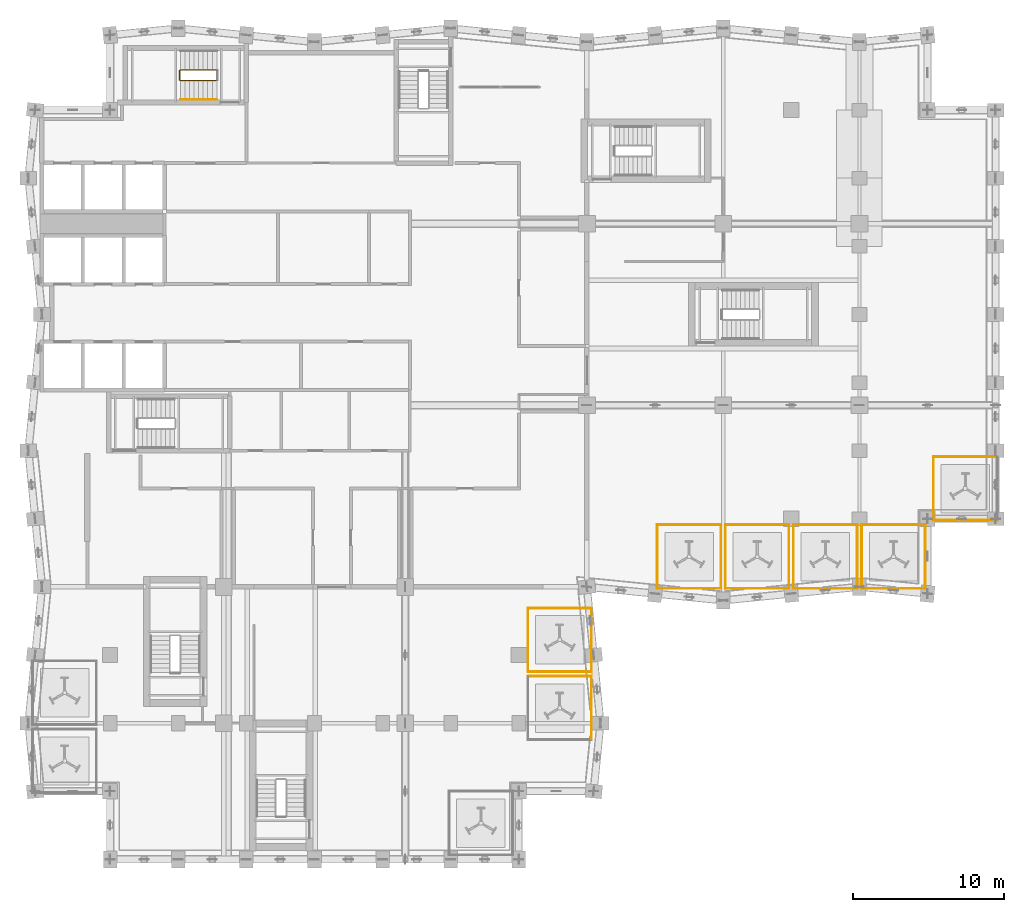
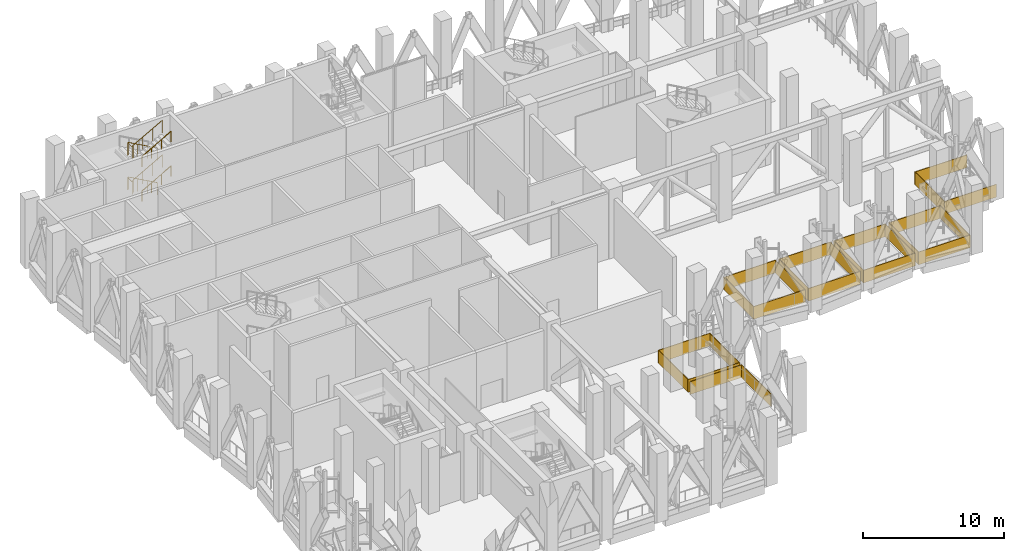
# One storey, part 25 of 28: 29 railings.
"""IFC4 building model written with IfcOpenShell, lengths in metres."""

from ifc_helpers import new_model, si_unit, direction, frame, origin, origin_2d, place, context, subcontext, project, spatial, rectangle, circle, extrude, material, type_object, element, save


model = new_model("IFC4")

# Units and contexts
model_context = context("Model", 3, precision=1e-05, world=origin(), true_north=direction((0.0, 1.0)))
body_context = subcontext(model_context, "Body", "Model", "MODEL_VIEW")
ifc_project = project(units=[si_unit("LENGTHUNIT", "METRE"), si_unit("AREAUNIT", "SQUARE_METRE"), si_unit("VOLUMEUNIT", "CUBIC_METRE"), si_unit("PLANEANGLEUNIT", "RADIAN"), si_unit("MASSUNIT", "GRAM", prefix="KILO")], contexts=[model_context])

# Site, building, storey
site_placement = place(None, origin())
site = spatial("IfcSite", under=ifc_project, at=site_placement, CompositionType="ELEMENT")
building_placement = place(site_placement, origin())
building = spatial("IfcBuilding", under=site, at=building_placement, Name="Brondeck Convention Tower", CompositionType="ELEMENT")
storey_placement = place(building_placement, frame((0.0, 0.0, 192.800048828125)))
storey = spatial("IfcBuildingStorey", under=building, at=storey_placement, Name="L47", CompositionType="ELEMENT", Elevation=192.800048828125)

# Railings
ifc_material_1 = material(Name="Steel S355", Category="steel")
railing_type_1 = type_object("IfcRailingType", Name="Stair guard 1100", PredefinedType="GUARDRAIL", material=ifc_material_1)
railing_1_placement = place(storey_placement, frame((11.550048828125, 61.14990234375, 0.16650390625)))
element("IfcRailing", 1, at=railing_1_placement, inside=storey, type_object=railing_type_1, Name="L47 ST-3 stair guard 1", PredefinedType="GUARDRAIL", context=body_context, shape_type="SweptSolid", body=[
    extrude(circle(Radius=0.02392578125, at=origin_2d()), frame((0.0, 0.0, 1.076171875), z_axis=(-0.87414469321, 0.0, 0.485665579729), x_axis=(0.0, -1.0, 0.0)), (0.0, 0.0, 1.0), 2.74560546875),
    extrude(circle(Radius=0.02392578125, at=origin_2d()), frame((-2.400146484375, 0.0, 2.40966796875), z_axis=(-0.707106781187, -0.707106781187, 0.0), x_axis=(0.707106781187, -0.707106781187, 0.0)), (0.0, 0.0, 1.0), 0.0703125),
    extrude(circle(Radius=0.02392578125, at=origin_2d()), frame((-2.449951171875, -0.0498046875, 2.40966796875), z_axis=(0.0, -1.0, 0.0), x_axis=(1.0, 0.0, 0.0)), (0.0, 0.0, 1.0), 0.60009765625),
    extrude(circle(Radius=0.02392578125, at=origin_2d()), frame((-2.449951171875, -0.64990234375, 2.40966796875), z_axis=(0.275382897532, -0.276732813696, 0.920642824102), x_axis=(0.708833529934, 0.705375805398, 0.0)), (0.0, 0.0, 1.0), 0.180908203125),
    extrude(circle(Radius=0.02392578125, at=origin_2d()), frame((-2.400146484375, -0.699951171875, 2.576171875), z_axis=(0.87414469321, 0.0, 0.485665579729), x_axis=(0.0, 1.0, 0.0)), (0.0, 0.0, 1.0), 2.74560546875),
    extrude(circle(Radius=0.02099609375, at=origin_2d()), origin(), (0.0, 0.0, 1.0), 1.052001953125),
    extrude(circle(Radius=0.02099609375, at=origin_2d()), frame((-0.800048828125, 0.0, 0.444580078125)), (0.0, 0.0, 1.0), 1.052001953125),
    extrude(circle(Radius=0.02099609375, at=origin_2d()), frame((-1.60009765625, 0.0, 0.888916015625)), (0.0, 0.0, 1.0), 1.052001953125),
    extrude(circle(Radius=0.02099609375, at=origin_2d()), frame((-2.400146484375, 0.0, 1.33349609375)), (0.0, 0.0, 1.0), 1.052001953125),
    extrude(circle(Radius=0.02099609375, at=origin_2d()), frame((-2.449951171875, -0.0498046875, 1.33349609375)), (0.0, 0.0, 1.0), 1.052001953125),
    extrude(circle(Radius=0.02099609375, at=origin_2d()), frame((-2.449951171875, -0.64990234375, 1.33349609375)), (0.0, 0.0, 1.0), 1.052001953125),
    extrude(circle(Radius=0.02099609375, at=origin_2d()), frame((-2.400146484375, -0.699951171875, 1.5)), (0.0, 0.0, 1.0), 1.052001953125),
    extrude(circle(Radius=0.02099609375, at=origin_2d()), frame((-1.60009765625, -0.699951171875, 1.944580078125)), (0.0, 0.0, 1.0), 1.052001953125),
    extrude(circle(Radius=0.02099609375, at=origin_2d()), frame((-0.800048828125, -0.699951171875, 2.388916015625)), (0.0, 0.0, 1.0), 1.052001953125),
    extrude(circle(Radius=0.02099609375, at=origin_2d()), frame((0.0, -0.699951171875, 2.83349609375)), (0.0, 0.0, 1.0), 1.052001953125),
])
railing_2_placement = place(storey_placement, frame((11.550048828125, 61.14990234375, 3.16650390625)))
element("IfcRailing", 2, at=railing_2_placement, inside=storey, type_object=railing_type_1, Name="L47 ST-3 stair guard 3", PredefinedType="GUARDRAIL", context=body_context, shape_type="SweptSolid", body=[
    extrude(circle(Radius=0.02392578125, at=origin_2d()), frame((0.0, 0.0, 1.076171875), z_axis=(-0.87414469321, 0.0, 0.485665579729), x_axis=(0.0, -1.0, 0.0)), (0.0, 0.0, 1.0), 2.74560546875),
    extrude(circle(Radius=0.02392578125, at=origin_2d()), frame((-2.400146484375, 0.0, 2.40966796875), z_axis=(-0.707106781187, -0.707106781187, 0.0), x_axis=(0.707106781187, -0.707106781187, 0.0)), (0.0, 0.0, 1.0), 0.0703125),
    extrude(circle(Radius=0.02392578125, at=origin_2d()), frame((-2.449951171875, -0.0498046875, 2.40966796875), z_axis=(0.0, -1.0, 0.0), x_axis=(1.0, 0.0, 0.0)), (0.0, 0.0, 1.0), 0.60009765625),
    extrude(circle(Radius=0.02392578125, at=origin_2d()), frame((-2.449951171875, -0.64990234375, 2.40966796875), z_axis=(0.275382897532, -0.276732813696, 0.920642824102), x_axis=(0.708833529934, 0.705375805398, 0.0)), (0.0, 0.0, 1.0), 0.180908203125),
    extrude(circle(Radius=0.02392578125, at=origin_2d()), frame((-2.400146484375, -0.699951171875, 2.576171875), z_axis=(0.87414469321, 0.0, 0.485665579729), x_axis=(0.0, 1.0, 0.0)), (0.0, 0.0, 1.0), 2.74560546875),
    extrude(circle(Radius=0.02099609375, at=origin_2d()), origin(), (0.0, 0.0, 1.0), 1.052001953125),
    extrude(circle(Radius=0.02099609375, at=origin_2d()), frame((-0.800048828125, 0.0, 0.444580078125)), (0.0, 0.0, 1.0), 1.052001953125),
    extrude(circle(Radius=0.02099609375, at=origin_2d()), frame((-1.60009765625, 0.0, 0.888916015625)), (0.0, 0.0, 1.0), 1.052001953125),
    extrude(circle(Radius=0.02099609375, at=origin_2d()), frame((-2.400146484375, 0.0, 1.33349609375)), (0.0, 0.0, 1.0), 1.052001953125),
    extrude(circle(Radius=0.02099609375, at=origin_2d()), frame((-2.449951171875, -0.0498046875, 1.33349609375)), (0.0, 0.0, 1.0), 1.052001953125),
    extrude(circle(Radius=0.02099609375, at=origin_2d()), frame((-2.449951171875, -0.64990234375, 1.33349609375)), (0.0, 0.0, 1.0), 1.052001953125),
    extrude(circle(Radius=0.02099609375, at=origin_2d()), frame((-2.400146484375, -0.699951171875, 1.5)), (0.0, 0.0, 1.0), 1.052001953125),
    extrude(circle(Radius=0.02099609375, at=origin_2d()), frame((-1.60009765625, -0.699951171875, 1.944580078125)), (0.0, 0.0, 1.0), 1.052001953125),
    extrude(circle(Radius=0.02099609375, at=origin_2d()), frame((-0.800048828125, -0.699951171875, 2.388916015625)), (0.0, 0.0, 1.0), 1.052001953125),
    extrude(circle(Radius=0.02099609375, at=origin_2d()), frame((0.0, -0.699951171875, 2.83349609375)), (0.0, 0.0, 1.0), 1.052001953125),
])
railing_type_2 = type_object("IfcRailingType", Name="Stair handrail", PredefinedType="HANDRAIL", material=ifc_material_1)
for number, where, name in (
    (3, (9.14990234375, 59.199951171875, 1.66650390625), "L47 ST-3 stair handrail 2"),
    (4, (9.14990234375, 59.199951171875, 4.66650390625), "L47 ST-3 stair handrail 4"),
):
    element("IfcRailing", number, at=place(storey_placement, frame(where)), inside=storey, type_object=railing_type_2, Name=name, PredefinedType="HANDRAIL", context=body_context, shape_type="SweptSolid", body=[
        extrude(circle(Radius=0.02392578125, at=origin_2d()), frame((0.0, 0.0, 0.8759765625), z_axis=(0.87414469321, 0.0, 0.485665579729), x_axis=(0.0, 1.0, 0.0)), (0.0, 0.0, 1.0), 2.74560546875),
        extrude(circle(Radius=0.02099609375, at=origin_2d()), origin(), (0.0, 0.0, 1.0), 0.851806640625),
        extrude(circle(Radius=0.02099609375, at=origin_2d()), frame((0.800048828125, 0.0, 0.444580078125)), (0.0, 0.0, 1.0), 0.851806640625),
        extrude(circle(Radius=0.02099609375, at=origin_2d()), frame((1.60009765625, 0.0, 0.888916015625)), (0.0, 0.0, 1.0), 0.851806640625),
        extrude(circle(Radius=0.02099609375, at=origin_2d()), frame((2.400146484375, 0.0, 1.33349609375)), (0.0, 0.0, 1.0), 0.851806640625),
    ])
ifc_material_2 = material(Name="Galvanised steel", Category="steel")
railing_type_3 = type_object("IfcRailingType", Name="Turbine guard 1100", PredefinedType="GUARDRAIL", material=ifc_material_2)
for number, where, z_axis, x_axis, name in (
    (5, (42.75, 31.10009765625, 0.0), (0.0, 0.0, 1.0), (1.0, 0.0, 0.0), "Turbine guard"),
    (6, (42.75, 26.89990234375, 0.0), (0.0, 0.0, 1.0), (1.0, 0.0, 0.0), "Turbine guard"),
):
    element("IfcRailing", number, at=place(storey_placement, frame(where, z_axis=z_axis, x_axis=x_axis)), inside=storey, type_object=railing_type_3, Name=name, PredefinedType="GUARDRAIL", context=body_context, shape_type="SweptSolid", body=[
        extrude(rectangle(XDim=4.25, YDim=0.050048828125, at=origin_2d()), origin(), (0.0, 0.0, 1.0), 1.10009765625),
    ])
for number, where, z_axis, x_axis, name in (
    (7, (44.85009765625, 29.0, 0.0), (0.0, 0.0, 1.0), (1.0, 0.0, 0.0), "Turbine guard"),
    (8, (40.64990234375, 29.0, 0.0), (0.0, 0.0, 1.0), (1.0, 0.0, 0.0), "Turbine guard"),
):
    element("IfcRailing", number, at=place(storey_placement, frame(where, z_axis=z_axis, x_axis=x_axis)), inside=storey, type_object=railing_type_3, Name=name, PredefinedType="GUARDRAIL", context=body_context, shape_type="SweptSolid", body=[
        extrude(rectangle(XDim=0.050048828125, YDim=4.14990234375, at=origin_2d()), origin(), (0.0, 0.0, 1.0), 1.10009765625),
    ])
for number, where, z_axis, x_axis, name in (
    (9, (47.25, 31.10009765625, 0.0), (0.0, 0.0, 1.0), (1.0, 0.0, 0.0), "Turbine guard"),
    (10, (47.25, 26.89990234375, 0.0), (0.0, 0.0, 1.0), (1.0, 0.0, 0.0), "Turbine guard"),
):
    element("IfcRailing", number, at=place(storey_placement, frame(where, z_axis=z_axis, x_axis=x_axis)), inside=storey, type_object=railing_type_3, Name=name, PredefinedType="GUARDRAIL", context=body_context, shape_type="SweptSolid", body=[
        extrude(rectangle(XDim=4.25, YDim=0.050048828125, at=origin_2d()), origin(), (0.0, 0.0, 1.0), 1.10009765625),
    ])
for number, where, z_axis, x_axis, name in (
    (11, (49.35009765625, 29.0, 0.0), (0.0, 0.0, 1.0), (1.0, 0.0, 0.0), "Turbine guard"),
    (12, (45.14990234375, 29.0, 0.0), (0.0, 0.0, 1.0), (1.0, 0.0, 0.0), "Turbine guard"),
):
    element("IfcRailing", number, at=place(storey_placement, frame(where, z_axis=z_axis, x_axis=x_axis)), inside=storey, type_object=railing_type_3, Name=name, PredefinedType="GUARDRAIL", context=body_context, shape_type="SweptSolid", body=[
        extrude(rectangle(XDim=0.050048828125, YDim=4.14990234375, at=origin_2d()), origin(), (0.0, 0.0, 1.0), 1.10009765625),
    ])
for number, where, z_axis, x_axis, name in (
    (13, (51.75, 31.10009765625, 0.0), (0.0, 0.0, 1.0), (1.0, 0.0, 0.0), "Turbine guard"),
    (14, (51.75, 26.89990234375, 0.0), (0.0, 0.0, 1.0), (1.0, 0.0, 0.0), "Turbine guard"),
):
    element("IfcRailing", number, at=place(storey_placement, frame(where, z_axis=z_axis, x_axis=x_axis)), inside=storey, type_object=railing_type_3, Name=name, PredefinedType="GUARDRAIL", context=body_context, shape_type="SweptSolid", body=[
        extrude(rectangle(XDim=4.25, YDim=0.050048828125, at=origin_2d()), origin(), (0.0, 0.0, 1.0), 1.10009765625),
    ])
for number, where, z_axis, x_axis, name in (
    (15, (53.85009765625, 29.0, 0.0), (0.0, 0.0, 1.0), (1.0, 0.0, 0.0), "Turbine guard"),
    (16, (49.64990234375, 29.0, 0.0), (0.0, 0.0, 1.0), (1.0, 0.0, 0.0), "Turbine guard"),
):
    element("IfcRailing", number, at=place(storey_placement, frame(where, z_axis=z_axis, x_axis=x_axis)), inside=storey, type_object=railing_type_3, Name=name, PredefinedType="GUARDRAIL", context=body_context, shape_type="SweptSolid", body=[
        extrude(rectangle(XDim=0.050048828125, YDim=4.14990234375, at=origin_2d()), origin(), (0.0, 0.0, 1.0), 1.10009765625),
    ])
for number, where, z_axis, x_axis, name in (
    (17, (56.25, 31.10009765625, 0.0), (0.0, 0.0, 1.0), (1.0, 0.0, 0.0), "Turbine guard"),
    (18, (56.25, 26.89990234375, 0.0), (0.0, 0.0, 1.0), (1.0, 0.0, 0.0), "Turbine guard"),
):
    element("IfcRailing", number, at=place(storey_placement, frame(where, z_axis=z_axis, x_axis=x_axis)), inside=storey, type_object=railing_type_3, Name=name, PredefinedType="GUARDRAIL", context=body_context, shape_type="SweptSolid", body=[
        extrude(rectangle(XDim=4.25, YDim=0.050048828125, at=origin_2d()), origin(), (0.0, 0.0, 1.0), 1.10009765625),
    ])
for number, where, z_axis, x_axis, name in (
    (19, (58.35009765625, 29.0, 0.0), (0.0, 0.0, 1.0), (1.0, 0.0, 0.0), "Turbine guard"),
    (20, (54.14990234375, 29.0, 0.0), (0.0, 0.0, 1.0), (1.0, 0.0, 0.0), "Turbine guard"),
):
    element("IfcRailing", number, at=place(storey_placement, frame(where, z_axis=z_axis, x_axis=x_axis)), inside=storey, type_object=railing_type_3, Name=name, PredefinedType="GUARDRAIL", context=body_context, shape_type="SweptSolid", body=[
        extrude(rectangle(XDim=0.050048828125, YDim=4.14990234375, at=origin_2d()), origin(), (0.0, 0.0, 1.0), 1.10009765625),
    ])
for number, where, z_axis, x_axis, name in (
    (21, (61.0, 35.60009765625, 0.0), (0.0, 0.0, 1.0), (1.0, 0.0, 0.0), "Turbine guard"),
    (22, (61.0, 31.39990234375, 0.0), (0.0, 0.0, 1.0), (1.0, 0.0, 0.0), "Turbine guard"),
):
    element("IfcRailing", number, at=place(storey_placement, frame(where, z_axis=z_axis, x_axis=x_axis)), inside=storey, type_object=railing_type_3, Name=name, PredefinedType="GUARDRAIL", context=body_context, shape_type="SweptSolid", body=[
        extrude(rectangle(XDim=4.25, YDim=0.050048828125, at=origin_2d()), origin(), (0.0, 0.0, 1.0), 1.10009765625),
    ])
railing_3_placement = place(storey_placement, frame((58.89990234375, 33.5, 0.0), z_axis=(0.0, 0.0, 1.0), x_axis=(1.0, 0.0, 0.0)))
element("IfcRailing", 23, at=railing_3_placement, inside=storey, type_object=railing_type_3, Name="Turbine guard", PredefinedType="GUARDRAIL", context=body_context, shape_type="SweptSolid", body=[
    extrude(rectangle(XDim=0.050048828125, YDim=4.14990234375, at=origin_2d()), origin(), (0.0, 0.0, 1.0), 1.10009765625),
])
railing_4_placement = place(storey_placement, frame((34.199951171875, 21.10009765625, 0.0), z_axis=(0.0, 0.0, 1.0), x_axis=(1.0, 0.0, 0.0)))
element("IfcRailing", 24, at=railing_4_placement, inside=storey, type_object=railing_type_3, Name="Turbine guard", PredefinedType="GUARDRAIL", context=body_context, shape_type="SweptSolid", body=[
    extrude(rectangle(XDim=4.25, YDim=0.050048828125, at=origin_2d()), origin(), (0.0, 0.0, 1.0), 1.10009765625),
])
railing_5_placement = place(storey_placement, frame((36.300048828125, 19.0, 0.0), z_axis=(0.0, 0.0, 1.0), x_axis=(1.0, 0.0, 0.0)))
element("IfcRailing", 25, at=railing_5_placement, inside=storey, type_object=railing_type_3, Name="Turbine guard", PredefinedType="GUARDRAIL", context=body_context, shape_type="SweptSolid", body=[
    extrude(rectangle(XDim=0.050048828125, YDim=4.14990234375, at=origin_2d()), origin(), (0.0, 0.0, 1.0), 1.10009765625),
])
for number, where, z_axis, x_axis, name in (
    (26, (34.199951171875, 25.60009765625, 0.0), (0.0, 0.0, 1.0), (1.0, 0.0, 0.0), "Turbine guard"),
    (27, (34.199951171875, 21.39990234375, 0.0), (0.0, 0.0, 1.0), (1.0, 0.0, 0.0), "Turbine guard"),
):
    element("IfcRailing", number, at=place(storey_placement, frame(where, z_axis=z_axis, x_axis=x_axis)), inside=storey, type_object=railing_type_3, Name=name, PredefinedType="GUARDRAIL", context=body_context, shape_type="SweptSolid", body=[
        extrude(rectangle(XDim=4.25, YDim=0.050048828125, at=origin_2d()), origin(), (0.0, 0.0, 1.0), 1.10009765625),
    ])
for number, where, z_axis, x_axis, name in (
    (28, (36.300048828125, 23.5, 0.0), (0.0, 0.0, 1.0), (1.0, 0.0, 0.0), "Turbine guard"),
    (29, (32.10009765625, 23.5, 0.0), (0.0, 0.0, 1.0), (1.0, 0.0, 0.0), "Turbine guard"),
):
    element("IfcRailing", number, at=place(storey_placement, frame(where, z_axis=z_axis, x_axis=x_axis)), inside=storey, type_object=railing_type_3, Name=name, PredefinedType="GUARDRAIL", context=body_context, shape_type="SweptSolid", body=[
        extrude(rectangle(XDim=0.050048828125, YDim=4.14990234375, at=origin_2d()), origin(), (0.0, 0.0, 1.0), 1.10009765625),
    ])

save(model, "model.ifc")
